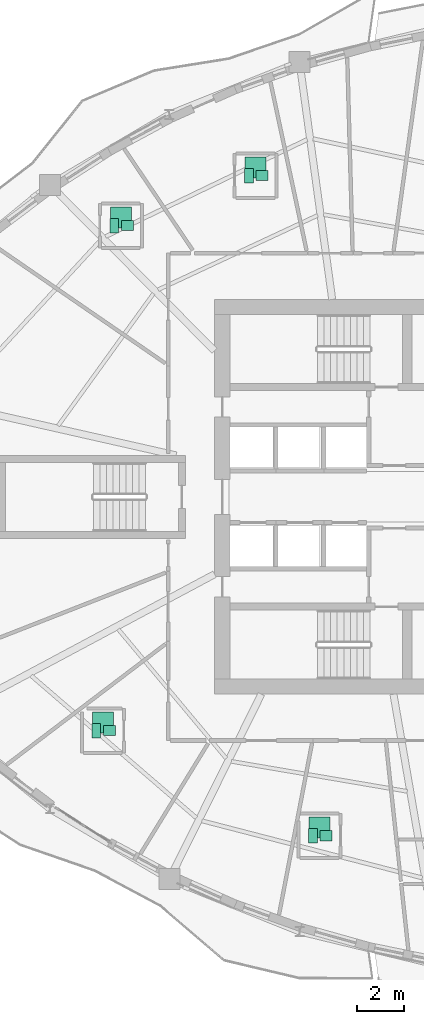
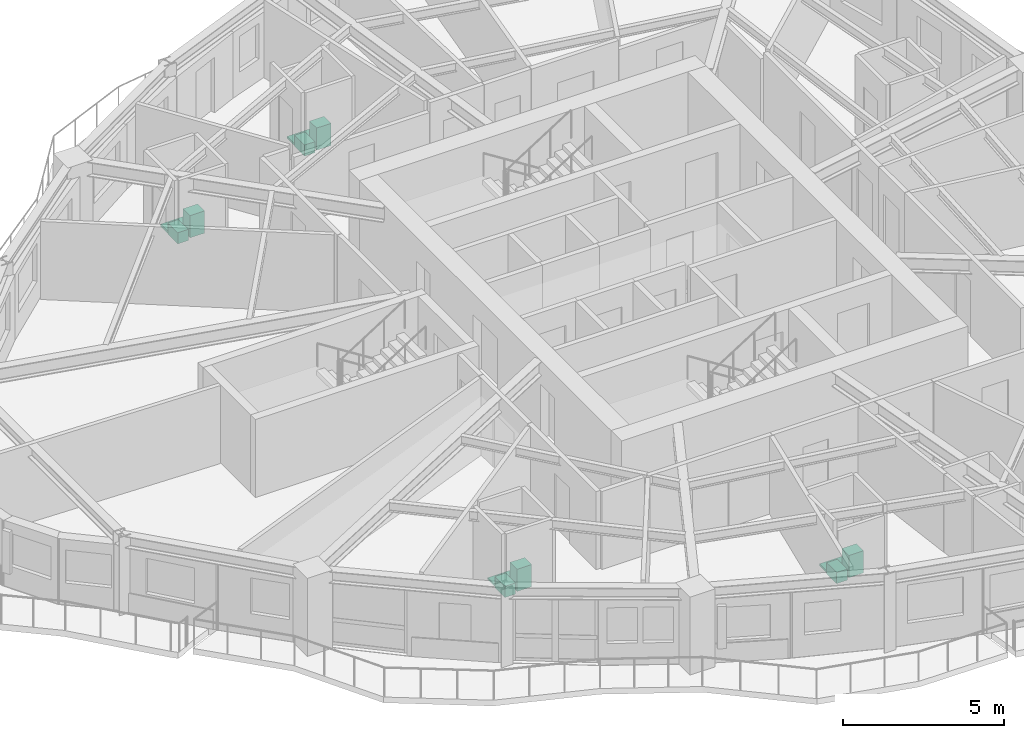
# One storey, part 15 of 15: 12 sanitary terminals.
"""IFC4 building model written with IfcOpenShell, lengths in metres."""

from ifc_helpers import new_model, si_unit, direction, frame, origin, origin_2d, place, context, subcontext, project, spatial, rectangle, extrude, source, transform, mapped, material, type_object, element, save


model = new_model("IFC4")

# Units and contexts
model_context = context("Model", 3, precision=1e-05, world=origin(), true_north=direction((0.0, 1.0)))
body_context = subcontext(model_context, "Body", "Model", "MODEL_VIEW")
ifc_project = project(units=[si_unit("LENGTHUNIT", "METRE"), si_unit("AREAUNIT", "SQUARE_METRE"), si_unit("VOLUMEUNIT", "CUBIC_METRE"), si_unit("PLANEANGLEUNIT", "RADIAN"), si_unit("MASSUNIT", "GRAM", prefix="KILO")], contexts=[model_context])

# Site, building, storey
site_placement = place(None, origin())
site = spatial("IfcSite", under=ifc_project, at=site_placement, CompositionType="ELEMENT")
building_placement = place(site_placement, origin())
building = spatial("IfcBuilding", under=site, at=building_placement, Name="Qafzar Sky-Pleat Residences", CompositionType="ELEMENT")
storey_placement = place(building_placement, frame((0.0, 0.0, 70.39990234375)))
storey = spatial("IfcBuildingStorey", under=building, at=storey_placement, Name="L20", CompositionType="ELEMENT", Elevation=70.39990234375)

# Sanitary terminals
ifc_material_1 = material(Name="Vitreous china sanitaryware")
sanitary_terminal_type_1 = type_object("IfcSanitaryTerminalType", Name="SAN-WC-PAN", PredefinedType="TOILETPAN", material=ifc_material_1)
shared_shape_1 = source(origin(), body_context, "Body", "SweptSolid", [
    extrude(rectangle(XDim=0.3798828125, YDim=0.6201171875, at=origin_2d()), origin(), (0.0, 0.0, 1.0), 0.419921875),
])
for number, where, z_axis, x_axis, name in (
    (1, (25.625, 39.7509765625, 0.000244140625), (0.0, 0.0, 1.0), (1.0, 0.0, 0.0), "L20 En-suite Bathroom 3 WC Pan"),
    (2, (19.85693359375, 37.611083984375, 0.000244140625), (0.0, 0.0, 1.0), (1.0, 0.0, 0.0), "L20 En-suite Bathroom 4 WC Pan"),
    (3, (19.0859375, 15.992919921875, 0.000244140625), (0.0, 0.0, 1.0), (1.0, 0.0, 0.0), "L20 En-suite Bathroom 5 WC Pan"),
    (4, (28.364013671875, 11.498046875, 0.000244140625), (0.0, 0.0, 1.0), (1.0, 0.0, 0.0), "L20 En-suite Bathroom 6 WC Pan"),
):
    element("IfcSanitaryTerminal", number, at=place(storey_placement, frame(where, z_axis=z_axis, x_axis=x_axis)), inside=storey, type_object=sanitary_terminal_type_1, Name=name, PredefinedType="TOILETPAN", context=body_context, shape_type="MappedRepresentation", body=[
        mapped(shared_shape_1, transform((0.0, 0.0, 0.0), x_axis=(1.0, 0.0, 0.0), y_axis=(0.0, 1.0, 0.0), z_axis=(0.0, 0.0, 1.0), scale=1.0)),
    ])
sanitary_terminal_type_2 = type_object("IfcSanitaryTerminalType", Name="SAN-BASIN", PredefinedType="WASHHANDBASIN", material=ifc_material_1)
shared_shape_2 = source(origin(), body_context, "Body", "SweptSolid", [
    extrude(rectangle(XDim=0.52001953125, YDim=0.43994140625, at=origin_2d()), origin(), (0.0, 0.0, 1.0), 0.840087890625),
])
for number, where, z_axis, x_axis, name in (
    (5, (26.18505859375, 39.7509765625, 0.0), (0.0, 0.0, 1.0), (1.0, 0.0, 0.0), "L20 En-suite Bathroom 3 Pedestal Washbasin"),
    (6, (20.4169921875, 37.611083984375, 0.0), (0.0, 0.0, 1.0), (1.0, 0.0, 0.0), "L20 En-suite Bathroom 4 Pedestal Washbasin"),
    (7, (19.64599609375, 15.992919921875, 0.0), (0.0, 0.0, 1.0), (1.0, 0.0, 0.0), "L20 En-suite Bathroom 5 Pedestal Washbasin"),
    (8, (28.924072265625, 11.498046875, 0.0), (0.0, 0.0, 1.0), (1.0, 0.0, 0.0), "L20 En-suite Bathroom 6 Pedestal Washbasin"),
):
    element("IfcSanitaryTerminal", number, at=place(storey_placement, frame(where, z_axis=z_axis, x_axis=x_axis)), inside=storey, type_object=sanitary_terminal_type_2, Name=name, PredefinedType="WASHHANDBASIN", context=body_context, shape_type="MappedRepresentation", body=[
        mapped(shared_shape_2, transform((0.0, 0.0, 0.0), x_axis=(1.0, 0.0, 0.0), y_axis=(0.0, 1.0, 0.0), z_axis=(0.0, 0.0, 1.0), scale=1.0)),
    ])
ifc_material_2 = material(Name="Vitreous china and acrylic tray")
sanitary_terminal_type_3 = type_object("IfcSanitaryTerminalType", Name="SAN-SHOWER", PredefinedType="SHOWER", material=ifc_material_2)
shared_shape_3 = source(origin(), body_context, "Body", "SweptSolid", [
    extrude(rectangle(XDim=0.89990234375, YDim=0.89990234375, at=origin_2d()), origin(), (0.0, 0.0, 1.0), 0.080078125),
])
for number, where, z_axis, x_axis, name in (
    (9, (25.905029296875, 40.091064453125, 0.0), (0.0, 0.0, 1.0), (1.0, 0.0, 0.0), "L20 En-suite Bathroom 3 Walk-In Shower"),
    (10, (20.136962890625, 37.950927734375, 0.0), (0.0, 0.0, 1.0), (1.0, 0.0, 0.0), "L20 En-suite Bathroom 4 Walk-In Shower"),
    (11, (19.365966796875, 16.3330078125, 0.0), (0.0, 0.0, 1.0), (1.0, 0.0, 0.0), "L20 En-suite Bathroom 5 Walk-In Shower"),
    (12, (28.64404296875, 11.837890625, 0.0), (0.0, 0.0, 1.0), (1.0, 0.0, 0.0), "L20 En-suite Bathroom 6 Walk-In Shower"),
):
    element("IfcSanitaryTerminal", number, at=place(storey_placement, frame(where, z_axis=z_axis, x_axis=x_axis)), inside=storey, type_object=sanitary_terminal_type_3, Name=name, PredefinedType="SHOWER", context=body_context, shape_type="MappedRepresentation", body=[
        mapped(shared_shape_3, transform((0.0, 0.0, 0.0), x_axis=(1.0, 0.0, 0.0), y_axis=(0.0, 1.0, 0.0), z_axis=(0.0, 0.0, 1.0), scale=1.0)),
    ])

save(model, "model.ifc")
